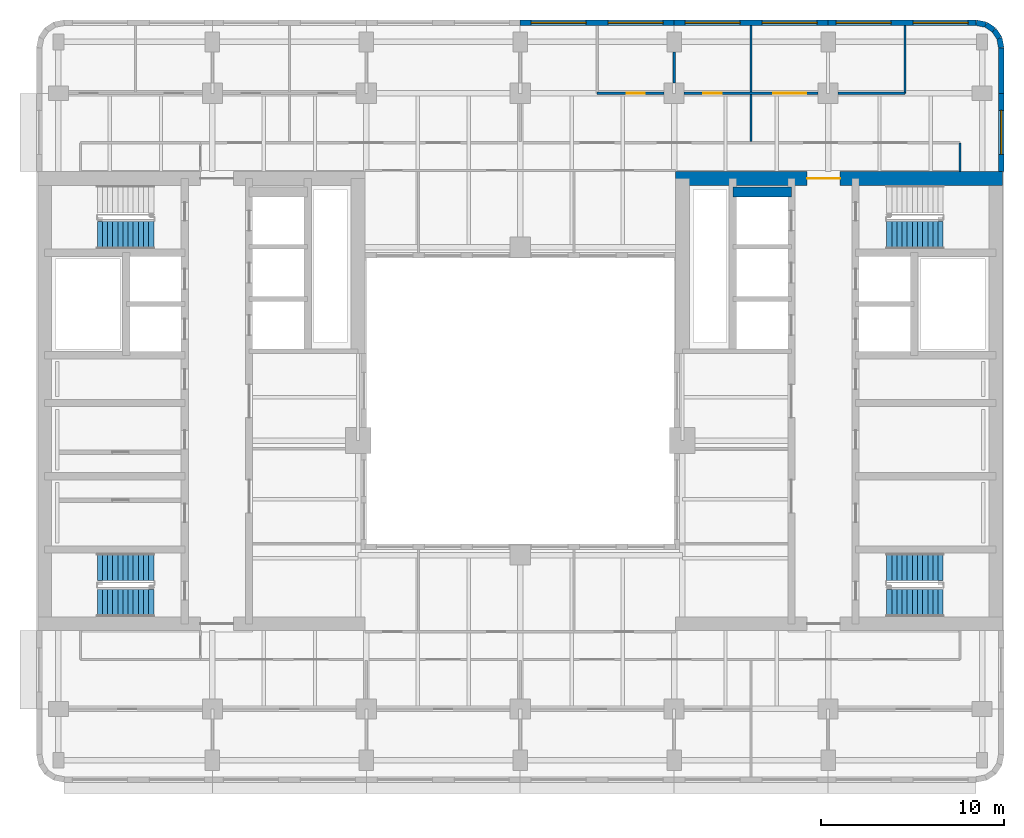
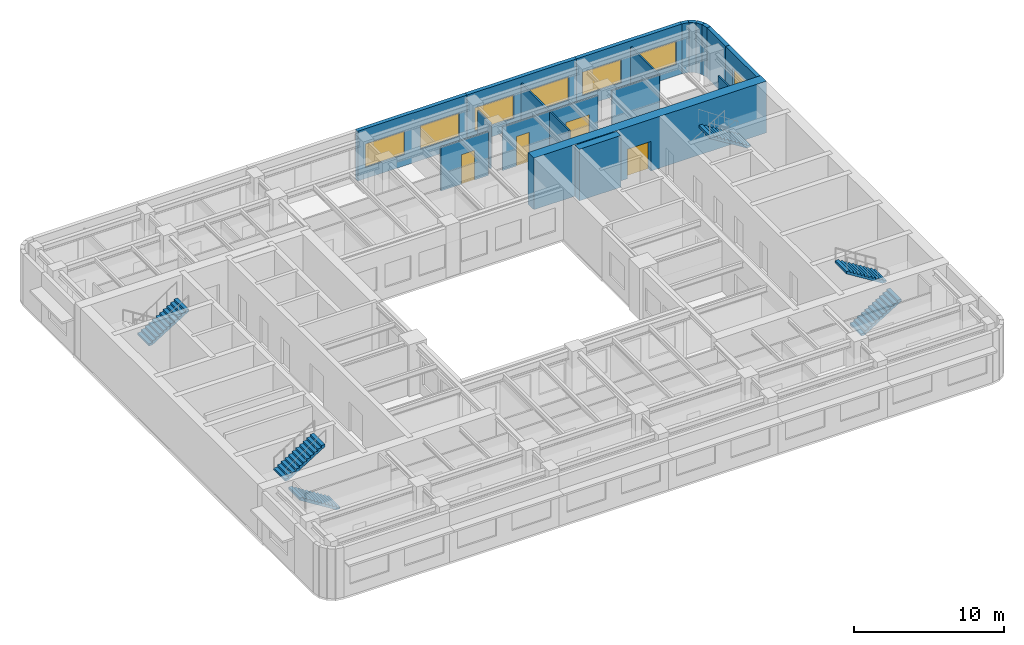
# One storey, part 8 of 12: 19 walls, 7 windows, 6 stair flights, 4 doors, 11 openings, 4 elements without a shape of their own.
"""IFC4 building model written with IfcOpenShell, lengths in metres."""

import ifcopenshell
import ifcopenshell.guid

model = None  # the IFC model being written
_history = None  # IfcOwnerHistory: only IFC2X3 demands one
_inside = {}  # id of a spatial element -> (the spatial element, [elements in it])
_under = {}  # id of a project, library or spatial element -> (it, [spatial elements below it])
_declared = {}  # id of a project -> (the project, [libraries it declares])
_typed = {}  # id of a type object -> (the type object, [elements of that type])
_made_of = {}  # id of a material, layer set ... -> (it, [elements and type objects made of it])


def new_model(schema):
    """Start an empty IFC model of exactly this schema.

    Asked for "IFC4X3", IfcOpenShell would pick the latest addendum, in which some entities
    have other attributes; the version numbers below select the first issue.
    IFC2X3 requires an IfcOwnerHistory on every rooted entity: one is made here for all.
    """
    global model, _history
    if schema == "IFC4X3":
        model = ifcopenshell.file(schema_version=(4, 3, 0, 0))
    else:
        model = ifcopenshell.file(schema=schema)
    _inside.clear()
    _under.clear()
    _declared.clear()
    _typed.clear()
    _made_of.clear()
    _history = None
    if model.schema == "IFC2X3":
        org = make("IfcOrganization", Name="unknown")
        user = make(
            "IfcPersonAndOrganization",
            ThePerson=make("IfcPerson", FamilyName="unknown"),
            TheOrganization=org,
        )
        app = make(
            "IfcApplication",
            ApplicationDeveloper=org,
            Version="unknown",
            ApplicationFullName="unknown",
            ApplicationIdentifier="unknown",
        )
        _history = make(
            "IfcOwnerHistory",
            OwningUser=user,
            OwningApplication=app,
            ChangeAction="ADDED",
            CreationDate=0,
        )
    return model


def make(cls, **values):
    """One entity of the class cls with the attributes given. An attribute that is None is left unset."""
    return model.create_entity(
        cls, **{name: value for name, value in values.items() if value is not None}
    )


def rooted(cls, **values):
    """An entity with a GlobalId (a new one), such as an element, a storey or a relation."""
    return make(cls, GlobalId=ifcopenshell.guid.new(), OwnerHistory=_history, **values)


def si_unit(unit_type, name, prefix=None):
    """IfcSIUnit, for example si_unit("LENGTHUNIT", "METRE", prefix="MILLI")."""
    return make("IfcSIUnit", UnitType=unit_type, Prefix=prefix, Name=name)


def assignment(units):
    """IfcUnitAssignment: the units of a project."""
    return None if units is None else make("IfcUnitAssignment", Units=units)


def point(xyz):
    """IfcCartesianPoint."""
    return None if xyz is None else make("IfcCartesianPoint", Coordinates=xyz)


def direction(xyz):
    """IfcDirection."""
    return None if xyz is None else make("IfcDirection", DirectionRatios=xyz)


def frame(location, z_axis=None, x_axis=None):
    """IfcAxis2Placement3D, a coordinate frame: its origin and axes. An axis left out is left unset."""
    return make(
        "IfcAxis2Placement3D",
        Location=point(location),
        Axis=direction(z_axis),
        RefDirection=direction(x_axis),
    )


def frame_2d(location, x_axis=None):
    """IfcAxis2Placement2D, a coordinate frame in the plane: its origin and x axis."""
    return make(
        "IfcAxis2Placement2D", Location=point(location), RefDirection=direction(x_axis)
    )


def origin():
    """The frame at (0, 0, 0) with its axes left unset."""
    return frame((0.0, 0.0, 0.0))


def place(relative_to, where):
    """IfcLocalPlacement: puts the frame where relative to a parent placement (None: the world)."""
    return make(
        "IfcLocalPlacement", PlacementRelTo=relative_to, RelativePlacement=where
    )


def context(
    kind, dimensions, precision=None, world=None, true_north=None, identifier=None
):
    """IfcGeometricRepresentationContext, for example the 3D "Model" context."""
    return make(
        "IfcGeometricRepresentationContext",
        ContextIdentifier=identifier,
        ContextType=kind,
        CoordinateSpaceDimension=dimensions,
        Precision=precision,
        WorldCoordinateSystem=world,
        TrueNorth=true_north,
    )


def subcontext(parent, identifier, kind, view, scale=None):
    """IfcGeometricRepresentationSubContext, for example "Body" below "Model"."""
    return make(
        "IfcGeometricRepresentationSubContext",
        ContextIdentifier=identifier,
        ContextType=kind,
        ParentContext=parent,
        TargetScale=scale,
        TargetView=view,
    )


def project(units=None, contexts=None):
    """IfcProject with its units and contexts."""
    return rooted(
        "IfcProject",
        Name="project",
        RepresentationContexts=contexts,
        UnitsInContext=assignment(units),
    )


def spatial(cls, under=None, at=None, **own):
    """A site, building, storey or space (cls), placed at a placement, below another one or the project."""
    s = rooted(cls, ObjectPlacement=at, **own)
    if under is not None:
        _under.setdefault(under.id(), (under, []))[1].append(s)
    return s


def polyline(points):
    """IfcPolyline through the points."""
    return make("IfcPolyline", Points=[point(p) for p in points])


def profile(cls, at=None, kind="AREA", **sizes):
    """A parametric profile (cls). Its sizes go by their IFC names, for example OverallWidth=200.0."""
    return make(cls, ProfileType=kind, Position=at, **sizes)


def rectangle(**sizes):
    """IfcRectangleProfileDef."""
    return profile("IfcRectangleProfileDef", **sizes)


def outline(outer, holes=None, kind="AREA"):
    """IfcArbitraryClosedProfileDef: a profile drawn as a closed curve; with holes, ...WithVoids."""
    if holes is None:
        return make("IfcArbitraryClosedProfileDef", ProfileType=kind, OuterCurve=outer)
    return make(
        "IfcArbitraryProfileDefWithVoids",
        ProfileType=kind,
        OuterCurve=outer,
        InnerCurves=holes,
    )


def extrude(swept, where, along, depth):
    """IfcExtrudedAreaSolid: the profile swept, set in the frame where, extruded along a direction by depth."""
    return make(
        "IfcExtrudedAreaSolid",
        SweptArea=swept,
        Position=where,
        ExtrudedDirection=direction(along),
        Depth=depth,
    )


def shape(context_of_items, identifier, shape_type, items):
    """IfcShapeRepresentation: the items that make up one representation, for example the "Body"."""
    return make(
        "IfcShapeRepresentation",
        ContextOfItems=context_of_items,
        RepresentationIdentifier=identifier,
        RepresentationType=shape_type,
        Items=items,
    )


def material(Name=None, Category=None):
    """IfcMaterial."""
    return make("IfcMaterial", Name=Name, Category=Category)


def layer(
    of_material, thickness, ventilated=None, Name=None, Category=None, Priority=None
):
    """IfcMaterialLayer: one layer of a wall or slab, of a material (None: an air gap)."""
    return make(
        "IfcMaterialLayer",
        Material=of_material,
        LayerThickness=thickness,
        IsVentilated=ventilated,
        Name=Name,
        Category=Category,
        Priority=Priority,
    )


def layer_set(layers, Name=None):
    """IfcMaterialLayerSet."""
    return make("IfcMaterialLayerSet", MaterialLayers=layers, LayerSetName=Name)


def made_of(thing, what):
    """Note that an element or type object is made of a material, layer set ...; save() writes the relation."""
    if what is not None:
        _made_of.setdefault(what.id(), (what, []))[1].append(thing)
    return thing


def type_object(cls, material=None, **own):
    """A type object (cls), such as IfcWallType, which elements share."""
    return made_of(rooted(cls, **own), material)


def element(
    cls,
    number,
    at=None,
    inside=None,
    cuts=None,
    type_object=None,
    material=None,
    context=None,
    identifier="Body",
    shape_type=None,
    held_by="IfcProductDefinitionShape",
    body=None,
    shapes=None,
    **own,
):
    """One element of the class cls, such as IfcWall. Its Tag is "e" and its number.

    at: its placement. inside: the storey or other place that contains it. cuts: it is an
    opening in that element (IfcRelVoidsElement). A single representation is given by context,
    identifier, shape_type and body (its items); several are given by shapes. held_by: the class
    of the entity that holds the representations. save() writes the other relations.
    """
    e = rooted(cls, Tag="e%d" % number, ObjectPlacement=at, **own)
    if body is not None:
        shapes = [shape(context, identifier, shape_type, body)]
    if shapes is not None:
        e.Representation = make(held_by, Representations=shapes)
    if inside is not None:
        _inside.setdefault(inside.id(), (inside, []))[1].append(e)
    if cuts is not None:
        rooted(
            "IfcRelVoidsElement", RelatingBuildingElement=cuts, RelatedOpeningElement=e
        )
    if type_object is not None:
        _typed.setdefault(type_object.id(), (type_object, []))[1].append(e)
    return made_of(e, material)


def fill(opening, filler):
    """IfcRelFillsElement: the door or window that sits in an opening."""
    return rooted(
        "IfcRelFillsElement",
        RelatingOpeningElement=opening,
        RelatedBuildingElement=filler,
    )


def aggregate(whole, parts):
    """IfcRelAggregates: a whole, such as a stair, and the parts it consists of."""
    return rooted("IfcRelAggregates", RelatingObject=whole, RelatedObjects=parts)


def save(model, path):
    """Write the relations noted so far, then the file.

    IfcRelAggregates (storeys below a building ...), IfcRelContainedInSpatialStructure (elements
    in a storey), IfcRelDefinesByType, IfcRelAssociatesMaterial and IfcRelDeclares: one each for
    every whole, place, type object, material and project.
    """
    for whole, parts in _under.values():
        aggregate(whole, parts)
    for where, things in _inside.values():
        rooted(
            "IfcRelContainedInSpatialStructure",
            RelatedElements=things,
            RelatingStructure=where,
        )
    for kind, things in _typed.values():
        rooted("IfcRelDefinesByType", RelatedObjects=things, RelatingType=kind)
    for what, things in _made_of.values():
        rooted("IfcRelAssociatesMaterial", RelatedObjects=things, RelatingMaterial=what)
    for by, libraries in _declared.values():
        rooted("IfcRelDeclares", RelatingContext=by, RelatedDefinitions=libraries)
    model.write(path)


model = new_model("IFC4")

# Units and contexts
model_context = context("Model", 3, precision=1e-05, world=origin(), true_north=direction((0.0, 1.0)))
body_context = subcontext(model_context, "Body", "Model", "MODEL_VIEW")
ifc_project = project(units=[si_unit("LENGTHUNIT", "METRE"), si_unit("AREAUNIT", "SQUARE_METRE"), si_unit("VOLUMEUNIT", "CUBIC_METRE"), si_unit("PLANEANGLEUNIT", "RADIAN"), si_unit("MASSUNIT", "GRAM", prefix="KILO")], contexts=[model_context])

# Site, building, storey
site_placement = place(None, origin())
site = spatial("IfcSite", under=ifc_project, at=site_placement, CompositionType="ELEMENT")
building_placement = place(site_placement, origin())
building = spatial("IfcBuilding", under=site, at=building_placement, Name="Claustro Exchange Tower", CompositionType="ELEMENT")
storey_placement = place(building_placement, frame((0.0, 0.0, 223.800048828125)))
storey = spatial("IfcBuildingStorey", under=building, at=storey_placement, Name="L51", CompositionType="ELEMENT", Elevation=223.800048828125)

# Wall, opening, door
ifc_material_1 = material(Name="Laminated glass in aluminium frame", Category="aluminium")
ifc_layer_1 = layer(ifc_material_1, 0.1201171875)
ifc_layer_set_1 = layer_set([ifc_layer_1], Name="Laminated glass in aluminium frame")
wall_type_1 = type_object("IfcWallType", Name="P2 120 glazed partition", PredefinedType="PARTITIONING", material=ifc_layer_set_1)
wall_1_placement = place(storey_placement, frame((29.39990234375, 42.0, 0.0), z_axis=(0.0, 0.0, 1.0), x_axis=(1.0, 0.0, 0.0)))
wall_1 = element("IfcWall", 1, at=wall_1_placement, inside=storey, type_object=wall_type_1, Name="Partition P2 L51", PredefinedType="PARTITIONING", context=body_context, shape_type="SweptSolid", body=[
    extrude(rectangle(XDim=3.651123046875, YDim=0.1201171875, at=frame_2d((1.82568359375, 0.0))), origin(), (0.0, 0.0, 1.0), 3.550048828125),
])
opening_1_placement = place(wall_1_placement, frame((1.60009765625, 0.0, 0.0)))
opening_1 = element("IfcOpeningElement", 2, at=opening_1_placement, cuts=wall_1, Name="Opening D7", PredefinedType="OPENING", context=body_context, shape_type="SweptSolid", body=[
    extrude(rectangle(XDim=1.0, YDim=2.39990234375, at=frame_2d((0.5, 1.199951171875))), frame((0.0, 0.070068359375, 0.0), z_axis=(0.0, -1.0, 0.0), x_axis=(1.0, 0.0, 0.0)), (0.0, 0.0, 1.0), 0.14013671875),
])
ifc_material_2 = material(Name="Glass door in aluminium frame", Category="aluminium")
door_type_1 = type_object("IfcDoorType", Name="D7 1000 x 2400 glazed door", OperationType="SINGLE_SWING_LEFT", PredefinedType="DOOR", material=ifc_material_2)
door_1_placement = place(opening_1_placement, origin())
door_1 = element("IfcDoor", 3, at=door_1_placement, inside=storey, type_object=door_type_1, Name="Door D7 L51", OperationType="SINGLE_SWING_LEFT", OverallHeight=2.39990234375, OverallWidth=1.0, PredefinedType="DOOR", context=body_context, shape_type="SweptSolid", body=[
    extrude(rectangle(XDim=1.0, YDim=2.39990234375, at=frame_2d((0.5, 1.199951171875))), frame((0.0, 0.02490234375, 0.0), z_axis=(0.0, -1.0, 0.0), x_axis=(1.0, 0.0, 0.0)), (0.0, 0.0, 1.0), 0.050048828125),
])
fill(opening_1, door_1)

# Wall, openings, doors
wall_2_placement = place(storey_placement, frame((34.14892578125, 42.0, 0.0), z_axis=(0.0, 0.0, 1.0), x_axis=(1.0, 0.0, 0.0)))
wall_2 = element("IfcWall", 4, at=wall_2_placement, inside=storey, type_object=wall_type_1, Name="Partition P2 L51", PredefinedType="PARTITIONING", context=body_context, shape_type="SweptSolid", body=[
    extrude(rectangle(XDim=7.302001953125, YDim=0.1201171875, at=frame_2d((3.65087890625, 0.0))), origin(), (0.0, 0.0, 1.0), 3.550048828125),
])
opening_2_placement = place(wall_2_placement, frame((1.051025390625, 0.0, 0.0)))
opening_2 = element("IfcOpeningElement", 5, at=opening_2_placement, cuts=wall_2, Name="Opening D7", PredefinedType="OPENING", context=body_context, shape_type="SweptSolid", body=[
    extrude(rectangle(XDim=1.0, YDim=2.39990234375, at=frame_2d((0.5, 1.199951171875))), frame((0.0, 0.070068359375, 0.0), z_axis=(0.0, -1.0, 0.0), x_axis=(1.0, 0.0, 0.0)), (0.0, 0.0, 1.0), 0.14013671875),
])
opening_3_placement = place(wall_2_placement, frame((4.85107421875, 0.0, 0.0)))
opening_3 = element("IfcOpeningElement", 6, at=opening_3_placement, cuts=wall_2, Name="Opening D2", PredefinedType="OPENING", context=body_context, shape_type="SweptSolid", body=[
    extrude(rectangle(XDim=1.800048828125, YDim=2.199951171875, at=frame_2d((0.89990234375, 1.10009765625))), frame((0.0, 0.070068359375, 0.0), z_axis=(0.0, -1.0, 0.0), x_axis=(1.0, 0.0, 0.0)), (0.0, 0.0, 1.0), 0.14013671875),
])
ifc_material_3 = material(Name="Timber door, oak veneer", Category="wood")
door_type_2 = type_object("IfcDoorType", Name="D2 1800 x 2200 double door", OperationType="DOUBLE_DOOR_SINGLE_SWING", PredefinedType="DOOR", material=ifc_material_3)
door_2_placement = place(opening_3_placement, origin())
door_2 = element("IfcDoor", 7, at=door_2_placement, inside=storey, type_object=door_type_2, Name="Double door D2 L51", OperationType="DOUBLE_DOOR_SINGLE_SWING", OverallHeight=2.199951171875, OverallWidth=1.800048828125, PredefinedType="DOOR", context=body_context, shape_type="SweptSolid", body=[
    extrude(rectangle(XDim=1.800048828125, YDim=2.199951171875, at=frame_2d((0.89990234375, 1.10009765625))), frame((0.0, 0.02490234375, 0.0), z_axis=(0.0, -1.0, 0.0), x_axis=(1.0, 0.0, 0.0)), (0.0, 0.0, 1.0), 0.050048828125),
])
fill(opening_3, door_2)
door_3_placement = place(opening_2_placement, origin())
door_3 = element("IfcDoor", 8, at=door_3_placement, inside=storey, type_object=door_type_1, Name="Door D7 L51", OperationType="SINGLE_SWING_RIGHT", OverallHeight=2.39990234375, OverallWidth=1.0, PredefinedType="DOOR", context=body_context, shape_type="SweptSolid", body=[
    extrude(rectangle(XDim=1.0, YDim=2.39990234375, at=frame_2d((0.5, 1.199951171875))), frame((0.0, 0.02490234375, 0.0), z_axis=(0.0, -1.0, 0.0), x_axis=(1.0, 0.0, 0.0)), (0.0, 0.0, 1.0), 0.050048828125),
])
fill(opening_2, door_3)

# Walls
wall_3_placement = place(storey_placement, frame((42.549072265625, 42.0, 0.0), z_axis=(0.0, 0.0, 1.0), x_axis=(1.0, 0.0, 0.0)))
element("IfcWall", 9, at=wall_3_placement, inside=storey, type_object=wall_type_1, Name="Partition P2 L51", PredefinedType="PARTITIONING", context=body_context, shape_type="SweptSolid", body=[
    extrude(rectangle(XDim=3.65087890625, YDim=0.1201171875, at=frame_2d((1.825439453125, 0.0))), origin(), (0.0, 0.0, 1.0), 3.550048828125),
])
wall_4_placement = place(storey_placement, frame((33.60009765625, 42.549072265625, 0.0), z_axis=(0.0, 0.0, 1.0), x_axis=(0.0, 1.0, 0.0)))
element("IfcWall", 10, at=wall_4_placement, inside=storey, type_object=wall_type_1, Name="Partition P2 L51", PredefinedType="PARTITIONING", context=body_context, shape_type="SweptSolid", body=[
    extrude(rectangle(XDim=1.701904296875, YDim=0.1201171875, at=frame_2d((0.85107421875, 0.0))), origin(), (0.0, 0.0, 1.0), 3.68994140625),
])
wall_5_placement = place(storey_placement, frame((37.800048828125, 42.05810546875, 0.0), z_axis=(0.0, 0.0, 1.0), x_axis=(0.0, 1.0, 0.0)))
element("IfcWall", 11, at=wall_5_placement, inside=storey, type_object=wall_type_1, Name="Partition P2 L51", PredefinedType="PARTITIONING", context=body_context, shape_type="SweptSolid", body=[
    extrude(rectangle(XDim=3.643798828125, YDim=0.1201171875, at=frame_2d((1.82177734375, 0.0))), origin(), (0.0, 0.0, 1.0), 3.550048828125),
])
wall_6_placement = place(storey_placement, frame((46.199951171875, 42.0, 0.0), z_axis=(0.0, 0.0, 1.0), x_axis=(0.0, 1.0, 0.0)))
element("IfcWall", 12, at=wall_6_placement, inside=storey, type_object=wall_type_1, Name="Partition P2 L51", PredefinedType="PARTITIONING", context=body_context, shape_type="SweptSolid", body=[
    extrude(rectangle(XDim=3.701904296875, YDim=0.1201171875, at=frame_2d((1.85107421875, 0.0))), origin(), (0.0, 0.0, 1.0), 3.550048828125),
])
wall_7_placement = place(storey_placement, frame((37.800048828125, 39.35791015625, 0.0), z_axis=(0.0, 0.0, 1.0), x_axis=(0.0, 1.0, 0.0)))
element("IfcWall", 13, at=wall_7_placement, inside=storey, type_object=wall_type_1, Name="Partition P2 L51", PredefinedType="PARTITIONING", context=body_context, shape_type="SweptSolid", body=[
    extrude(rectangle(XDim=2.583984375, YDim=0.1201171875, at=frame_2d((1.2919921875, 0.0))), origin(), (0.0, 0.0, 1.0), 3.550048828125),
])
wall_8_placement = place(storey_placement, frame((49.199951171875, 37.72412109375, 0.0), z_axis=(0.0, 0.0, 1.0), x_axis=(0.0, 1.0, 0.0)))
element("IfcWall", 14, at=wall_8_placement, inside=storey, type_object=wall_type_1, Name="Partition P2 L51", PredefinedType="PARTITIONING", context=body_context, shape_type="SweptSolid", body=[
    extrude(rectangle(XDim=1.575927734375, YDim=0.1201171875, at=frame_2d((0.7880859375, 0.0))), origin(), (0.0, 0.0, 1.0), 4.050048828125),
])

# Wall, openings, windows
ifc_material_4 = material(Name="Concrete HA-40 (C40/50), precast, white cement, acid-etched", Category="concrete")
ifc_layer_2 = layer(ifc_material_4, 0.300048828125)
ifc_layer_set_2 = layer_set([ifc_layer_2], Name="Concrete HA-40 (C40/50), precast, white cement, acid-etched")
wall_type_2 = type_object("IfcWallType", Name="PC1 300 precast concrete pier panel", PredefinedType="SOLIDWALL", material=ifc_layer_set_2)
wall_9_placement = place(storey_placement, frame((25.199951171875, 45.85009765625, 0.0), z_axis=(0.0, 0.0, 1.0), x_axis=(1.0, 0.0, 0.0)))
wall_9 = element("IfcWall", 15, at=wall_9_placement, inside=storey, type_object=wall_type_2, Name="Precast pier panel PC1 L51", PredefinedType="SOLIDWALL", context=body_context, shape_type="SweptSolid", body=[
    extrude(rectangle(XDim=8.400146484375, YDim=0.300048828125, at=frame_2d((4.2001953125, 0.0))), origin(), (0.0, 0.0, 1.0), 4.050048828125),
])
opening_4_placement = place(wall_9_placement, frame((0.60009765625, 0.0, 0.89990234375)))
opening_4 = element("IfcOpeningElement", 16, at=opening_4_placement, cuts=wall_9, Name="Opening W1", PredefinedType="OPENING", context=body_context, shape_type="SweptSolid", body=[
    extrude(rectangle(XDim=3.0, YDim=1.89990234375, at=frame_2d((1.5, 0.949951171875))), frame((0.0, 0.159912109375, 0.0), z_axis=(0.0, -1.0, 0.0), x_axis=(1.0, 0.0, 0.0)), (0.0, 0.0, 1.0), 0.320068359375),
])
opening_5_placement = place(wall_9_placement, frame((4.800048828125, 0.0, 0.89990234375)))
opening_5 = element("IfcOpeningElement", 17, at=opening_5_placement, cuts=wall_9, Name="Opening W1", PredefinedType="OPENING", context=body_context, shape_type="SweptSolid", body=[
    extrude(rectangle(XDim=3.0, YDim=1.89990234375, at=frame_2d((1.5, 0.949951171875))), frame((0.0, 0.159912109375, 0.0), z_axis=(0.0, -1.0, 0.0), x_axis=(1.0, 0.0, 0.0)), (0.0, 0.0, 1.0), 0.320068359375),
])
ifc_material_5 = material(Name="Aluminium frame, clear double glazing", Category="aluminium")
window_type_1 = type_object("IfcWindowType", Name="W1 3000 x 1900 window", PartitioningType="SINGLE_PANEL", PredefinedType="WINDOW", material=ifc_material_5)
window_1_placement = place(opening_4_placement, origin())
window_1 = element("IfcWindow", 18, at=window_1_placement, inside=storey, type_object=window_type_1, Name="Window W1 L51", OverallHeight=1.89990234375, OverallWidth=3.0, PartitioningType="SINGLE_PANEL", PredefinedType="WINDOW", context=body_context, shape_type="SweptSolid", body=[
    extrude(rectangle(XDim=3.0, YDim=1.89990234375, at=frame_2d((1.5, 0.949951171875))), frame((0.0, 0.030029296875, 0.0), z_axis=(0.0, -1.0, 0.0), x_axis=(1.0, 0.0, 0.0)), (0.0, 0.0, 1.0), 0.06005859375),
])
fill(opening_4, window_1)
window_2_placement = place(opening_5_placement, origin())
window_2 = element("IfcWindow", 19, at=window_2_placement, inside=storey, type_object=window_type_1, Name="Window W1 L51", OverallHeight=1.89990234375, OverallWidth=3.0, PartitioningType="SINGLE_PANEL", PredefinedType="WINDOW", context=body_context, shape_type="SweptSolid", body=[
    extrude(rectangle(XDim=3.0, YDim=1.89990234375, at=frame_2d((1.5, 0.949951171875))), frame((0.0, 0.030029296875, 0.0), z_axis=(0.0, -1.0, 0.0), x_axis=(1.0, 0.0, 0.0)), (0.0, 0.0, 1.0), 0.06005859375),
])
fill(opening_5, window_2)

wall_10_placement = place(storey_placement, frame((33.60009765625, 45.85009765625, 0.0), z_axis=(0.0, 0.0, 1.0), x_axis=(1.0, 0.0, 0.0)))
wall_10 = element("IfcWall", 20, at=wall_10_placement, inside=storey, type_object=wall_type_2, Name="Precast pier panel PC1 L51", PredefinedType="SOLIDWALL", context=body_context, shape_type="SweptSolid", body=[
    extrude(rectangle(XDim=8.39990234375, YDim=0.300048828125, at=frame_2d((4.199951171875, 0.0))), origin(), (0.0, 0.0, 1.0), 4.050048828125),
])
opening_6_placement = place(wall_10_placement, frame((0.60009765625, 0.0, 0.89990234375)))
opening_6 = element("IfcOpeningElement", 21, at=opening_6_placement, cuts=wall_10, Name="Opening W1", PredefinedType="OPENING", context=body_context, shape_type="SweptSolid", body=[
    extrude(rectangle(XDim=3.0, YDim=1.89990234375, at=frame_2d((1.5, 0.949951171875))), frame((0.0, 0.159912109375, 0.0), z_axis=(0.0, -1.0, 0.0), x_axis=(1.0, 0.0, 0.0)), (0.0, 0.0, 1.0), 0.320068359375),
])
opening_7_placement = place(wall_10_placement, frame((4.800048828125, 0.0, 0.89990234375)))
opening_7 = element("IfcOpeningElement", 22, at=opening_7_placement, cuts=wall_10, Name="Opening W1", PredefinedType="OPENING", context=body_context, shape_type="SweptSolid", body=[
    extrude(rectangle(XDim=3.0, YDim=1.89990234375, at=frame_2d((1.5, 0.949951171875))), frame((0.0, 0.159912109375, 0.0), z_axis=(0.0, -1.0, 0.0), x_axis=(1.0, 0.0, 0.0)), (0.0, 0.0, 1.0), 0.320068359375),
])
window_3_placement = place(opening_6_placement, origin())
window_3 = element("IfcWindow", 23, at=window_3_placement, inside=storey, type_object=window_type_1, Name="Window W1 L51", OverallHeight=1.89990234375, OverallWidth=3.0, PartitioningType="SINGLE_PANEL", PredefinedType="WINDOW", context=body_context, shape_type="SweptSolid", body=[
    extrude(rectangle(XDim=3.0, YDim=1.89990234375, at=frame_2d((1.5, 0.949951171875))), frame((0.0, 0.030029296875, 0.0), z_axis=(0.0, -1.0, 0.0), x_axis=(1.0, 0.0, 0.0)), (0.0, 0.0, 1.0), 0.06005859375),
])
fill(opening_6, window_3)
window_4_placement = place(opening_7_placement, origin())
window_4 = element("IfcWindow", 24, at=window_4_placement, inside=storey, type_object=window_type_1, Name="Window W1 L51", OverallHeight=1.89990234375, OverallWidth=3.0, PartitioningType="SINGLE_PANEL", PredefinedType="WINDOW", context=body_context, shape_type="SweptSolid", body=[
    extrude(rectangle(XDim=3.0, YDim=1.89990234375, at=frame_2d((1.5, 0.949951171875))), frame((0.0, 0.030029296875, 0.0), z_axis=(0.0, -1.0, 0.0), x_axis=(1.0, 0.0, 0.0)), (0.0, 0.0, 1.0), 0.06005859375),
])
fill(opening_7, window_4)

wall_11_placement = place(storey_placement, frame((42.0, 45.85009765625, 0.0), z_axis=(0.0, 0.0, 1.0), x_axis=(1.0, 0.0, 0.0)))
wall_11 = element("IfcWall", 25, at=wall_11_placement, inside=storey, type_object=wall_type_2, Name="Precast pier panel PC1 L51", PredefinedType="SOLIDWALL", context=body_context, shape_type="SweptSolid", body=[
    extrude(rectangle(XDim=8.085205078125, YDim=0.300048828125, at=frame_2d((4.04248046875, 0.0))), origin(), (0.0, 0.0, 1.0), 4.050048828125),
])
opening_8_placement = place(wall_11_placement, frame((0.442626953125, 0.0, 0.89990234375)))
opening_8 = element("IfcOpeningElement", 26, at=opening_8_placement, cuts=wall_11, Name="Opening W1", PredefinedType="OPENING", context=body_context, shape_type="SweptSolid", body=[
    extrude(rectangle(XDim=3.0, YDim=1.89990234375, at=frame_2d((1.5, 0.949951171875))), frame((0.0, 0.159912109375, 0.0), z_axis=(0.0, -1.0, 0.0), x_axis=(1.0, 0.0, 0.0)), (0.0, 0.0, 1.0), 0.320068359375),
])
opening_9_placement = place(wall_11_placement, frame((4.642578125, 0.0, 0.89990234375)))
opening_9 = element("IfcOpeningElement", 27, at=opening_9_placement, cuts=wall_11, Name="Opening W1", PredefinedType="OPENING", context=body_context, shape_type="SweptSolid", body=[
    extrude(rectangle(XDim=3.0, YDim=1.89990234375, at=frame_2d((1.5, 0.949951171875))), frame((0.0, 0.159912109375, 0.0), z_axis=(0.0, -1.0, 0.0), x_axis=(1.0, 0.0, 0.0)), (0.0, 0.0, 1.0), 0.320068359375),
])
window_5_placement = place(opening_8_placement, origin())
window_5 = element("IfcWindow", 28, at=window_5_placement, inside=storey, type_object=window_type_1, Name="Window W1 L51", OverallHeight=1.89990234375, OverallWidth=3.0, PartitioningType="SINGLE_PANEL", PredefinedType="WINDOW", context=body_context, shape_type="SweptSolid", body=[
    extrude(rectangle(XDim=3.0, YDim=1.89990234375, at=frame_2d((1.5, 0.949951171875))), frame((0.0, 0.030029296875, 0.0), z_axis=(0.0, -1.0, 0.0), x_axis=(1.0, 0.0, 0.0)), (0.0, 0.0, 1.0), 0.06005859375),
])
fill(opening_8, window_5)
window_6_placement = place(opening_9_placement, origin())
window_6 = element("IfcWindow", 29, at=window_6_placement, inside=storey, type_object=window_type_1, Name="Window W1 L51", OverallHeight=1.89990234375, OverallWidth=3.0, PartitioningType="SINGLE_PANEL", PredefinedType="WINDOW", context=body_context, shape_type="SweptSolid", body=[
    extrude(rectangle(XDim=3.0, YDim=1.89990234375, at=frame_2d((1.5, 0.949951171875))), frame((0.0, 0.030029296875, 0.0), z_axis=(0.0, -1.0, 0.0), x_axis=(1.0, 0.0, 0.0)), (0.0, 0.0, 1.0), 0.06005859375),
])
fill(opening_9, window_6)

# Walls
wall_12_placement = place(storey_placement, frame((50.085205078125, 45.85009765625, 0.0), z_axis=(0.0, 0.0, 1.0), x_axis=(0.980702050465, -0.1955082817, 0.0)))
element("IfcWall", 30, at=wall_12_placement, inside=storey, type_object=wall_type_2, Name="Precast pier panel PC1 L51", PredefinedType="SOLIDWALL", context=body_context, shape_type="SweptSolid", body=[
    extrude(rectangle(XDim=0.540771484375, YDim=0.300048828125, at=frame_2d((0.2705078125, 0.0))), origin(), (0.0, 0.0, 1.0), 4.050048828125),
])
wall_13_placement = place(storey_placement, frame((50.615478515625, 45.744384765625, 0.0), z_axis=(0.0, 0.0, 1.0), x_axis=(0.831692711774, -0.555236195849, 0.0)))
element("IfcWall", 31, at=wall_13_placement, inside=storey, type_object=wall_type_2, Name="Precast pier panel PC1 L51", PredefinedType="SOLIDWALL", context=body_context, shape_type="SweptSolid", body=[
    extrude(rectangle(XDim=0.525390625, YDim=0.300048828125, at=frame_2d((0.2626953125, 0.0))), origin(), (0.0, 0.0, 1.0), 4.050048828125),
])
wall_14_placement = place(storey_placement, frame((51.052490234375, 45.45263671875, 0.0), z_axis=(0.0, 0.0, 1.0), x_axis=(0.55534295404, -0.831621430339, 0.0)))
element("IfcWall", 32, at=wall_14_placement, inside=storey, type_object=wall_type_2, Name="Precast pier panel PC1 L51", PredefinedType="SOLIDWALL", context=body_context, shape_type="SweptSolid", body=[
    extrude(rectangle(XDim=0.52587890625, YDim=0.300048828125, at=frame_2d((0.262939453125, 0.0))), origin(), (0.0, 0.0, 1.0), 4.050048828125),
])
wall_15_placement = place(storey_placement, frame((51.344482421875, 45.015380859375, 0.0), z_axis=(0.0, 0.0, 1.0), x_axis=(0.195073962632, -0.980788534345, 0.0)))
element("IfcWall", 33, at=wall_15_placement, inside=storey, type_object=wall_type_2, Name="Precast pier panel PC1 L51", PredefinedType="SOLIDWALL", context=body_context, shape_type="SweptSolid", body=[
    extrude(rectangle(XDim=0.540771484375, YDim=0.300048828125, at=frame_2d((0.2705078125, 0.0))), origin(), (0.0, 0.0, 1.0), 4.050048828125),
])
wall_16_placement = place(storey_placement, frame((51.449951171875, 44.485107421875, 0.0), z_axis=(0.0, 0.0, 1.0), x_axis=(0.0, -1.0, 0.0)))
element("IfcWall", 34, at=wall_16_placement, inside=storey, type_object=wall_type_2, Name="Precast pier panel PC1 L51", PredefinedType="SOLIDWALL", context=body_context, shape_type="SweptSolid", body=[
    extrude(rectangle(XDim=2.485107421875, YDim=0.300048828125, at=frame_2d((1.24267578125, 0.0))), origin(), (0.0, 0.0, 1.0), 4.050048828125),
])

# Wall, opening, window
wall_17_placement = place(storey_placement, frame((51.449951171875, 42.0, 0.0), z_axis=(0.0, 0.0, 1.0), x_axis=(0.0, -1.0, 0.0)))
wall_17 = element("IfcWall", 35, at=wall_17_placement, inside=storey, type_object=wall_type_2, Name="Precast pier panel PC1 L51", PredefinedType="SOLIDWALL", context=body_context, shape_type="SweptSolid", body=[
    extrude(rectangle(XDim=4.27490234375, YDim=0.300048828125, at=frame_2d((2.137451171875, 0.0))), origin(), (0.0, 0.0, 1.0), 4.050048828125),
])
opening_10_placement = place(wall_17_placement, frame((0.9375, 0.0, 0.89990234375)))
opening_10 = element("IfcOpeningElement", 36, at=opening_10_placement, cuts=wall_17, Name="Opening W2", PredefinedType="OPENING", context=body_context, shape_type="SweptSolid", body=[
    extrude(rectangle(XDim=2.39990234375, YDim=1.89990234375, at=frame_2d((1.199951171875, 0.949951171875))), frame((0.0, 0.159912109375, 0.0), z_axis=(0.0, -1.0, 0.0), x_axis=(1.0, 0.0, 0.0)), (0.0, 0.0, 1.0), 0.320068359375),
])
ifc_material_6 = material(Name="Aluminium frame, clear double glazing", Category="aluminium")
window_type_2 = type_object("IfcWindowType", Name="W2 2400 x 1900 window", PartitioningType="SINGLE_PANEL", PredefinedType="WINDOW", material=ifc_material_6)
window_7_placement = place(opening_10_placement, origin())
window_7 = element("IfcWindow", 37, at=window_7_placement, inside=storey, type_object=window_type_2, Name="Window W2 L51", OverallHeight=1.89990234375, OverallWidth=2.39990234375, PartitioningType="SINGLE_PANEL", PredefinedType="WINDOW", context=body_context, shape_type="SweptSolid", body=[
    extrude(rectangle(XDim=2.39990234375, YDim=1.89990234375, at=frame_2d((1.199951171875, 0.949951171875))), frame((0.0, 0.030029296875, 0.0), z_axis=(0.0, -1.0, 0.0), x_axis=(1.0, 0.0, 0.0)), (0.0, 0.0, 1.0), 0.06005859375),
])
fill(opening_10, window_7)

# Wall, opening, door
ifc_material_7 = material(Name="Concrete HA-70 (C70/85)", Category="concrete")
ifc_layer_3 = layer(ifc_material_7, 0.75)
ifc_layer_set_3 = layer_set([ifc_layer_3], Name="Concrete HA-70 (C70/85)")
wall_type_3 = type_object("IfcWallType", Name="SW2 750 core shear wall", PredefinedType="SHEAR", material=ifc_layer_set_3)
wall_18_placement = place(storey_placement, frame((33.675048828125, 37.35009765625, 0.0), z_axis=(0.0, 0.0, 1.0), x_axis=(1.0, 0.0, 0.0)))
wall_18 = element("IfcWall", 38, at=wall_18_placement, inside=storey, type_object=wall_type_3, Name="Core wall SW2 E core N face L51", PredefinedType="SHEAR", context=body_context, shape_type="SweptSolid", body=[
    extrude(rectangle(XDim=17.849853515625, YDim=0.75, at=frame_2d((8.9248046875, 0.0))), origin(), (0.0, 0.0, 1.0), 4.199951171875),
])
opening_11_placement = place(wall_18_placement, frame((7.175048828125, 0.0, 0.0)))
opening_11 = element("IfcOpeningElement", 39, at=opening_11_placement, cuts=wall_18, Name="Opening D3", PredefinedType="OPENING", context=body_context, shape_type="SweptSolid", body=[
    extrude(rectangle(XDim=1.800048828125, YDim=2.39990234375, at=frame_2d((0.89990234375, 1.199951171875))), frame((0.0, 0.385009765625, 0.0), z_axis=(0.0, -1.0, 0.0), x_axis=(1.0, 0.0, 0.0)), (0.0, 0.0, 1.0), 0.77001953125),
])
ifc_material_8 = material(Name="Steel fire door, painted", Category="steel")
door_type_3 = type_object("IfcDoorType", Name="D3 1800 x 2400 fire-rated lobby double door", OperationType="DOUBLE_DOOR_SINGLE_SWING", PredefinedType="DOOR", material=ifc_material_8)
door_4_placement = place(opening_11_placement, frame((1.800048828125, 0.0, 0.0), z_axis=(0.0, 0.0, 1.0), x_axis=(-1.0, 0.0, 0.0)))
door_4 = element("IfcDoor", 40, at=door_4_placement, inside=storey, type_object=door_type_3, Name="Lift lobby door D3 L51", OperationType="DOUBLE_DOOR_SINGLE_SWING", OverallHeight=2.39990234375, OverallWidth=1.800048828125, PredefinedType="DOOR", context=body_context, shape_type="SweptSolid", body=[
    extrude(rectangle(XDim=1.800048828125, YDim=2.39990234375, at=frame_2d((0.89990234375, 1.199951171875))), frame((0.0, 0.02490234375, 0.0), z_axis=(0.0, -1.0, 0.0), x_axis=(1.0, 0.0, 0.0)), (0.0, 0.0, 1.0), 0.050048828125),
])
fill(opening_11, door_4)

# Wall
ifc_material_9 = material(Name="Concrete HA-50 (C50/60)", Category="concrete")
ifc_layer_4 = layer(ifc_material_9, 0.550048828125)
ifc_layer_set_4 = layer_set([ifc_layer_4], Name="Concrete HA-50 (C50/60)")
wall_type_4 = type_object("IfcWallType", Name="SW6 550 lift shaft end wall", PredefinedType="SHEAR", material=ifc_layer_set_4)
wall_19_placement = place(storey_placement, frame((40.0, 36.625, 0.0), z_axis=(0.0, 0.0, 1.0), x_axis=(-1.0, 0.0, 0.0)))
element("IfcWall", 41, at=wall_19_placement, inside=storey, type_object=wall_type_4, Name="Lift shaft wall E core L51", PredefinedType="SHEAR", context=body_context, shape_type="SweptSolid", body=[
    extrude(rectangle(XDim=3.199951171875, YDim=0.550048828125, at=frame_2d((1.60009765625, 0.0))), origin(), (0.0, 0.0, 1.0), 4.199951171875),
])

# Stair, stair flights
ifc_material_10 = material(Name="Concrete HA-30 (C30/37), precast", Category="concrete")
stair_type = type_object("IfcStairType", Name="ST1 half-turn stair, 24 risers of 175", PredefinedType="HALF_TURN_STAIR", material=ifc_material_10)
stair_1_placement = place(storey_placement, origin())
stair_1 = element("IfcStair", 42, at=stair_1_placement, inside=storey, type_object=stair_type, Name="Stair STWA L51", PredefinedType="HALF_TURN_STAIR")
ifc_material_11 = material(Name="Concrete HA-30 (C30/37), precast", Category="concrete")
stair_flight_type = type_object("IfcStairFlightType", Name="SF12A straight flight, 12 risers of 175, 1500 wide", PredefinedType="STRAIGHT", material=ifc_material_11)
stair_flight_1_placement = place(storey_placement, frame((5.199951171875, 14.175048828125, 0.0), z_axis=(0.0, 0.0, 1.0), x_axis=(-1.0, 0.0, 0.0)))
stair_flight_1 = element("IfcStairFlight", 43, at=stair_flight_1_placement, type_object=stair_flight_type, Name="STWA flight 1", NumberOfRisers=12, NumberOfTreads=11, PredefinedType="STRAIGHT", RiserHeight=0.175, TreadLength=0.28, context=body_context, shape_type="SweptSolid", body=[
    extrude(outline(polyline([(0.0, 0.0), (0.0, 0.175048828125), (0.280029296875, 0.175048828125), (0.280029296875, 0.35009765625), (0.56005859375, 0.35009765625), (0.56005859375, 0.52490234375), (0.840087890625, 0.52490234375), (0.840087890625, 0.699951171875), (1.1201171875, 0.699951171875), (1.1201171875, 0.875), (1.39990234375, 0.875), (1.39990234375, 1.050048828125), (1.679931640625, 1.050048828125), (1.679931640625, 1.22509765625), (1.9599609375, 1.22509765625), (1.9599609375, 1.39990234375), (2.239990234375, 1.39990234375), (2.239990234375, 1.574951171875), (2.52001953125, 1.574951171875), (2.52001953125, 1.75), (2.800048828125, 1.75), (2.800048828125, 1.925048828125), (3.080078125, 1.925048828125), (3.080078125, 2.10009765625), (3.080078125, 1.748291015625), (0.28271484375, 0.0), (0.0, 0.0)])), frame((0.0, 0.75, 0.0), z_axis=(0.0, -1.0, 0.0), x_axis=(1.0, 0.0, 0.0)), (0.0, 0.0, 1.0), 1.5),
])
stair_flight_2_placement = place(storey_placement, frame((2.1201171875, 16.14990234375, 2.099853515625), z_axis=(0.0, 0.0, 1.0), x_axis=(1.0, 0.0, 0.0)))
stair_flight_2 = element("IfcStairFlight", 44, at=stair_flight_2_placement, type_object=stair_flight_type, Name="STWA flight 2", NumberOfRisers=12, NumberOfTreads=11, PredefinedType="STRAIGHT", RiserHeight=0.175, TreadLength=0.28, context=body_context, shape_type="SweptSolid", body=[
    extrude(outline(polyline([(0.0, 0.0), (0.0, 0.175048828125), (0.280029296875, 0.175048828125), (0.280029296875, 0.35009765625), (0.56005859375, 0.35009765625), (0.56005859375, 0.52490234375), (0.840087890625, 0.52490234375), (0.840087890625, 0.699951171875), (1.1201171875, 0.699951171875), (1.1201171875, 0.875), (1.39990234375, 0.875), (1.39990234375, 1.050048828125), (1.679931640625, 1.050048828125), (1.679931640625, 1.22509765625), (1.9599609375, 1.22509765625), (1.9599609375, 1.39990234375), (2.239990234375, 1.39990234375), (2.239990234375, 1.574951171875), (2.52001953125, 1.574951171875), (2.52001953125, 1.75), (2.800048828125, 1.75), (2.800048828125, 1.925048828125), (3.080078125, 1.925048828125), (3.080078125, 2.10009765625), (3.080078125, 1.748291015625), (0.28271484375, 0.0), (0.0, 0.0)])), frame((0.0, 0.75, 0.0), z_axis=(0.0, -1.0, 0.0), x_axis=(1.0, 0.0, 0.0)), (0.0, 0.0, 1.0), 1.5),
])
aggregate(stair_1, [stair_flight_1, stair_flight_2])

# Stair, stair flight
stair_2_placement = place(storey_placement, origin())
stair_2 = element("IfcStair", 45, at=stair_2_placement, inside=storey, type_object=stair_type, Name="Stair STWB L51", PredefinedType="HALF_TURN_STAIR")
stair_flight_3_placement = place(storey_placement, frame((2.1201171875, 34.25, 2.099853515625), z_axis=(0.0, 0.0, 1.0), x_axis=(1.0, 0.0, 0.0)))
stair_flight_3 = element("IfcStairFlight", 46, at=stair_flight_3_placement, type_object=stair_flight_type, Name="STWB flight 2", NumberOfRisers=12, NumberOfTreads=11, PredefinedType="STRAIGHT", RiserHeight=0.175, TreadLength=0.28, context=body_context, shape_type="SweptSolid", body=[
    extrude(outline(polyline([(0.0, 0.0), (0.0, 0.175048828125), (0.280029296875, 0.175048828125), (0.280029296875, 0.35009765625), (0.56005859375, 0.35009765625), (0.56005859375, 0.52490234375), (0.840087890625, 0.52490234375), (0.840087890625, 0.699951171875), (1.1201171875, 0.699951171875), (1.1201171875, 0.875), (1.39990234375, 0.875), (1.39990234375, 1.050048828125), (1.679931640625, 1.050048828125), (1.679931640625, 1.22509765625), (1.9599609375, 1.22509765625), (1.9599609375, 1.39990234375), (2.239990234375, 1.39990234375), (2.239990234375, 1.574951171875), (2.52001953125, 1.574951171875), (2.52001953125, 1.75), (2.800048828125, 1.75), (2.800048828125, 1.925048828125), (3.080078125, 1.925048828125), (3.080078125, 2.10009765625), (3.080078125, 1.748291015625), (0.28271484375, 0.0), (0.0, 0.0)])), frame((0.0, 0.75, 0.0), z_axis=(0.0, -1.0, 0.0), x_axis=(1.0, 0.0, 0.0)), (0.0, 0.0, 1.0), 1.5),
])
aggregate(stair_2, [stair_flight_3])

# Stair, stair flights
stair_3_placement = place(storey_placement, origin())
stair_3 = element("IfcStair", 47, at=stair_3_placement, inside=storey, type_object=stair_type, Name="Stair STEA L51", PredefinedType="HALF_TURN_STAIR")
stair_flight_4_placement = place(storey_placement, frame((45.199951171875, 14.175048828125, 0.0), z_axis=(0.0, 0.0, 1.0), x_axis=(1.0, 0.0, 0.0)))
stair_flight_4 = element("IfcStairFlight", 48, at=stair_flight_4_placement, type_object=stair_flight_type, Name="STEA flight 1", NumberOfRisers=12, NumberOfTreads=11, PredefinedType="STRAIGHT", RiserHeight=0.175, TreadLength=0.28, context=body_context, shape_type="SweptSolid", body=[
    extrude(outline(polyline([(0.0, 0.0), (0.0, 0.175048828125), (0.280029296875, 0.175048828125), (0.280029296875, 0.35009765625), (0.56005859375, 0.35009765625), (0.56005859375, 0.52490234375), (0.840087890625, 0.52490234375), (0.840087890625, 0.699951171875), (1.1201171875, 0.699951171875), (1.1201171875, 0.875), (1.39990234375, 0.875), (1.39990234375, 1.050048828125), (1.679931640625, 1.050048828125), (1.679931640625, 1.22509765625), (1.9599609375, 1.22509765625), (1.9599609375, 1.39990234375), (2.239990234375, 1.39990234375), (2.239990234375, 1.574951171875), (2.52001953125, 1.574951171875), (2.52001953125, 1.75), (2.800048828125, 1.75), (2.800048828125, 1.925048828125), (3.080078125, 1.925048828125), (3.080078125, 2.10009765625), (3.080078125, 1.748291015625), (0.28271484375, 0.0), (0.0, 0.0)])), frame((0.0, 0.75, 0.0), z_axis=(0.0, -1.0, 0.0), x_axis=(1.0, 0.0, 0.0)), (0.0, 0.0, 1.0), 1.5),
])
stair_flight_5_placement = place(storey_placement, frame((48.280029296875, 16.14990234375, 2.099853515625), z_axis=(0.0, 0.0, 1.0), x_axis=(-1.0, 0.0, 0.0)))
stair_flight_5 = element("IfcStairFlight", 49, at=stair_flight_5_placement, type_object=stair_flight_type, Name="STEA flight 2", NumberOfRisers=12, NumberOfTreads=11, PredefinedType="STRAIGHT", RiserHeight=0.175, TreadLength=0.28, context=body_context, shape_type="SweptSolid", body=[
    extrude(outline(polyline([(0.0, 0.0), (0.0, 0.175048828125), (0.280029296875, 0.175048828125), (0.280029296875, 0.35009765625), (0.56005859375, 0.35009765625), (0.56005859375, 0.52490234375), (0.840087890625, 0.52490234375), (0.840087890625, 0.699951171875), (1.1201171875, 0.699951171875), (1.1201171875, 0.875), (1.39990234375, 0.875), (1.39990234375, 1.050048828125), (1.679931640625, 1.050048828125), (1.679931640625, 1.22509765625), (1.9599609375, 1.22509765625), (1.9599609375, 1.39990234375), (2.239990234375, 1.39990234375), (2.239990234375, 1.574951171875), (2.52001953125, 1.574951171875), (2.52001953125, 1.75), (2.800048828125, 1.75), (2.800048828125, 1.925048828125), (3.080078125, 1.925048828125), (3.080078125, 2.10009765625), (3.080078125, 1.748291015625), (0.28271484375, 0.0), (0.0, 0.0)])), frame((0.0, 0.75, 0.0), z_axis=(0.0, -1.0, 0.0), x_axis=(1.0, 0.0, 0.0)), (0.0, 0.0, 1.0), 1.5),
])
aggregate(stair_3, [stair_flight_4, stair_flight_5])

# Stair, stair flight
stair_4_placement = place(storey_placement, origin())
stair_4 = element("IfcStair", 50, at=stair_4_placement, inside=storey, type_object=stair_type, Name="Stair STEB L51", PredefinedType="HALF_TURN_STAIR")
stair_flight_6_placement = place(storey_placement, frame((48.280029296875, 34.25, 2.099853515625), z_axis=(0.0, 0.0, 1.0), x_axis=(-1.0, 0.0, 0.0)))
stair_flight_6 = element("IfcStairFlight", 51, at=stair_flight_6_placement, type_object=stair_flight_type, Name="STEB flight 2", NumberOfRisers=12, NumberOfTreads=11, PredefinedType="STRAIGHT", RiserHeight=0.175, TreadLength=0.28, context=body_context, shape_type="SweptSolid", body=[
    extrude(outline(polyline([(0.0, 0.0), (0.0, 0.175048828125), (0.280029296875, 0.175048828125), (0.280029296875, 0.35009765625), (0.56005859375, 0.35009765625), (0.56005859375, 0.52490234375), (0.840087890625, 0.52490234375), (0.840087890625, 0.699951171875), (1.1201171875, 0.699951171875), (1.1201171875, 0.875), (1.39990234375, 0.875), (1.39990234375, 1.050048828125), (1.679931640625, 1.050048828125), (1.679931640625, 1.22509765625), (1.9599609375, 1.22509765625), (1.9599609375, 1.39990234375), (2.239990234375, 1.39990234375), (2.239990234375, 1.574951171875), (2.52001953125, 1.574951171875), (2.52001953125, 1.75), (2.800048828125, 1.75), (2.800048828125, 1.925048828125), (3.080078125, 1.925048828125), (3.080078125, 2.10009765625), (3.080078125, 1.748291015625), (0.28271484375, 0.0), (0.0, 0.0)])), frame((0.0, 0.75, 0.0), z_axis=(0.0, -1.0, 0.0), x_axis=(1.0, 0.0, 0.0)), (0.0, 0.0, 1.0), 1.5),
])
aggregate(stair_4, [stair_flight_6])

save(model, "model.ifc")
